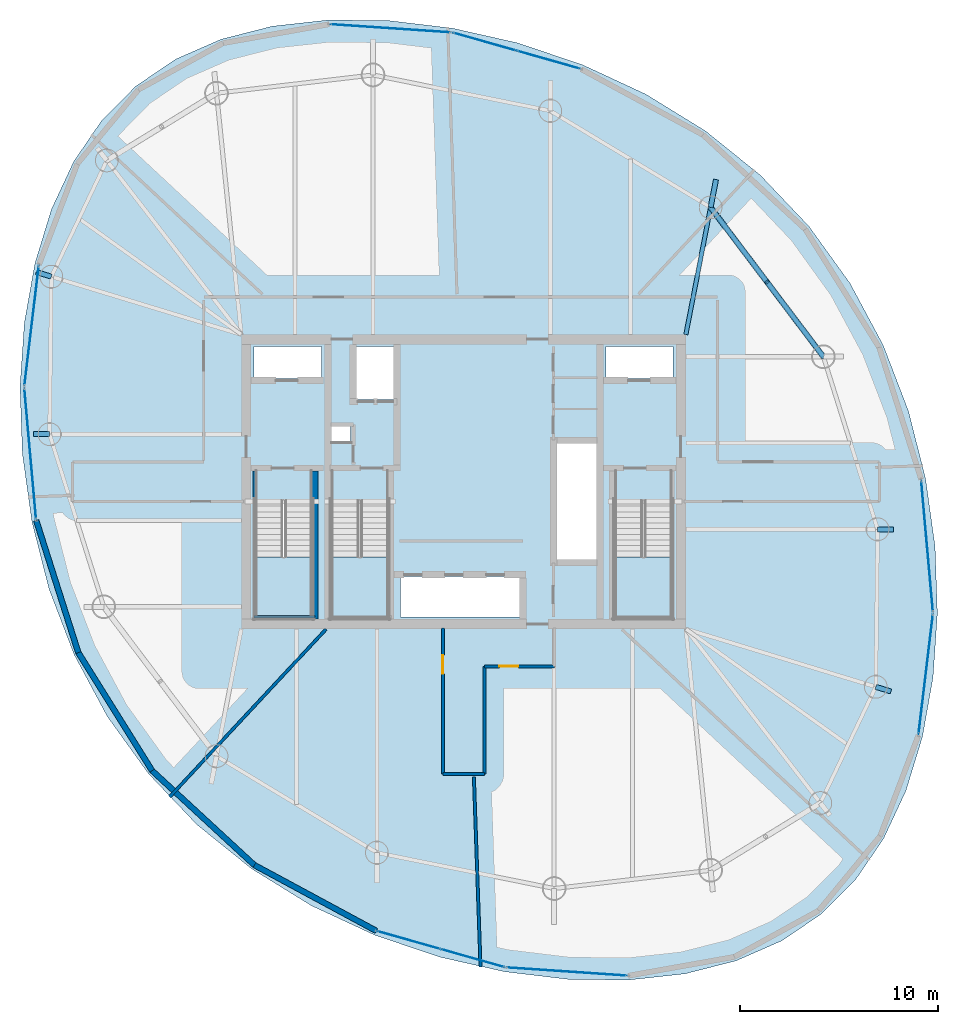
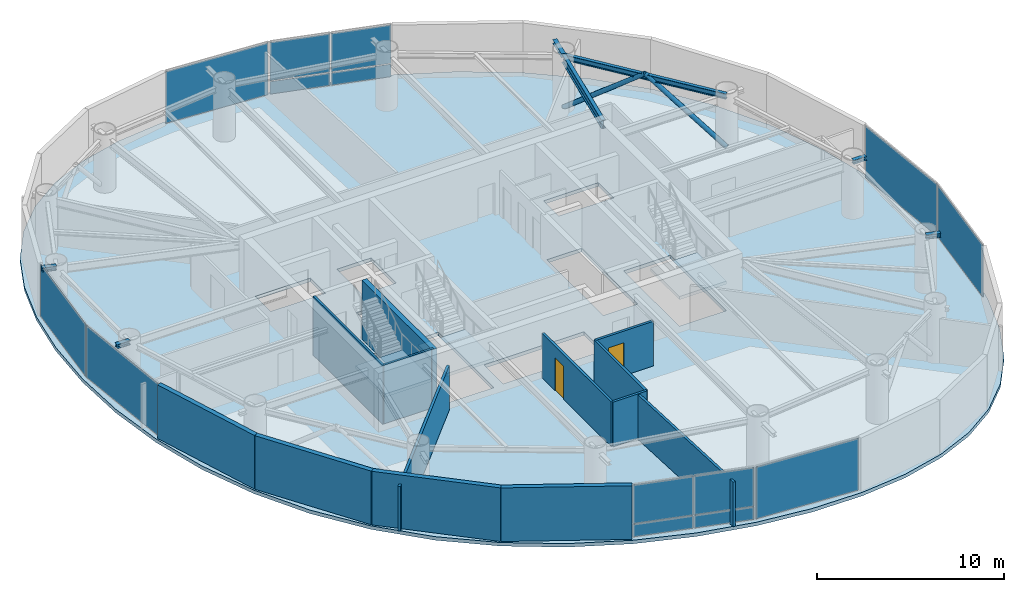
# One storey, part 12 of 18: 14 plates, 13 walls, 7 beams, 4 slabs, 2 doors, 2 members, 2 openings, 11 elements without a shape of their own.
"""IFC4 building model written with IfcOpenShell, lengths in metres."""

from ifc_helpers import new_model, si_unit, direction, frame, frame_2d, origin, origin_2d, place, context, subcontext, project, spatial, polyline, rectangle, hollow_circle, i_section, outline, extrude, material, layer, layer_set, material_profile, profile_set, type_object, element, fill, aggregate, save


model = new_model("IFC4")

# Units and contexts
model_context = context("Model", 3, precision=1e-05, world=origin(), true_north=direction((0.0, 1.0)))
body_context = subcontext(model_context, "Body", "Model", "MODEL_VIEW")
ifc_project = project(units=[si_unit("LENGTHUNIT", "METRE"), si_unit("AREAUNIT", "SQUARE_METRE"), si_unit("VOLUMEUNIT", "CUBIC_METRE"), si_unit("PLANEANGLEUNIT", "RADIAN"), si_unit("MASSUNIT", "GRAM", prefix="KILO")], contexts=[model_context])

# Site, building, storey
site_placement = place(None, origin())
site = spatial("IfcSite", under=ifc_project, at=site_placement, CompositionType="ELEMENT")
building_placement = place(site_placement, origin())
building = spatial("IfcBuilding", under=site, at=building_placement, Name="Bramvorn Convention Spire", CompositionType="ELEMENT")
storey_placement = place(building_placement, frame((0.0, 0.0, 232.800048828125)))
storey = spatial("IfcBuildingStorey", under=building, at=storey_placement, Name="L59", CompositionType="ELEMENT", Elevation=232.800048828125)

# Beams
ifc_material_1 = material(Name="Steel CSA G40.21 Grade 350 (350W)", Category="steel")
ifc_material_profile_1 = material_profile(ifc_material_1, i_section(OverallWidth=0.25390625, OverallDepth=0.2529296875, WebThickness=0.008544921875, FlangeThickness=0.01416015625, FilletRadius=0.011962890625, at=origin_2d()))
ifc_profile_set_1 = profile_set([ifc_material_profile_1], Name="Steel CSA G40.21 Grade 350 (350W) - W250X73")
beam_type_1 = type_object("IfcBeamType", Name="BM-W250X73", PredefinedType="BEAM", material=ifc_profile_set_1)
for number, where, z_axis, x_axis, name in (
    (1, (58.863037109375, 15.619384765625, 3.37353515625), (0.956599941343, -0.291404447841, 0.0), (0.291404447841, 0.956599941343, 0.0), "L59 slab-edge cantilever tip beam MC02"),
    (2, (58.95458984375, 23.593505859375, 3.37353515625), (1.0, 0.0, 0.0), (0.0, 1.0, 0.0), "L59 slab-edge cantilever tip beam MC03"),
):
    element("IfcBeam", number, at=place(storey_placement, frame(where, z_axis=z_axis, x_axis=x_axis)), inside=storey, type_object=beam_type_1, Name=name, PredefinedType="BEAM", context=body_context, shape_type="SweptSolid", body=[
        extrude(i_section(OverallWidth=0.25390625, OverallDepth=0.2529296875, WebThickness=0.008544921875, FlangeThickness=0.01416015625, FilletRadius=0.011962890625, at=origin_2d()), origin(), (0.0, 0.0, 1.0), 0.800048828125),
    ])
beam_1_placement = place(storey_placement, frame((50.501953125, 39.885009765625, 3.37353515625), z_axis=(0.19108332694, 0.98157381901, 0.0), x_axis=(-0.98157381901, 0.19108332694, 0.0)))
element("IfcBeam", 3, at=beam_1_placement, inside=storey, type_object=beam_type_1, Name="L59 slab-edge cantilever tip beam MC05", PredefinedType="BEAM", context=body_context, shape_type="SweptSolid", body=[
    extrude(i_section(OverallWidth=0.25390625, OverallDepth=0.2529296875, WebThickness=0.008544921875, FlangeThickness=0.01416015625, FilletRadius=0.011962890625, at=origin_2d()), origin(), (0.0, 0.0, 1.0), 1.437255859375),
])
for number, where, z_axis, x_axis, name in (
    (4, (17.136962890625, 36.380615234375, 3.37353515625), (-0.956599941343, 0.291404447841, 0.0), (-0.291404447841, -0.956599941343, 0.0), "L59 slab-edge cantilever tip beam MC10"),
    (5, (17.04541015625, 28.406494140625, 3.37353515625), (-1.0, 0.0, 0.0), (0.0, -1.0, 0.0), "L59 slab-edge cantilever tip beam MC11"),
):
    element("IfcBeam", number, at=place(storey_placement, frame(where, z_axis=z_axis, x_axis=x_axis)), inside=storey, type_object=beam_type_1, Name=name, PredefinedType="BEAM", context=body_context, shape_type="SweptSolid", body=[
        extrude(i_section(OverallWidth=0.25390625, OverallDepth=0.2529296875, WebThickness=0.008544921875, FlangeThickness=0.01416015625, FilletRadius=0.011962890625, at=origin_2d()), origin(), (0.0, 0.0, 1.0), 0.800048828125),
    ])
ifc_material_profile_2 = material_profile(ifc_material_1, i_section(OverallWidth=0.205078125, OverallDepth=0.35400390625, WebThickness=0.009521484375, FlangeThickness=0.016845703125, FilletRadius=0.014892578125, at=origin_2d()))
ifc_profile_set_2 = profile_set([ifc_material_profile_2], Name="Steel CSA G40.21 Grade 350 (350W) - W360X79")
beam_type_2 = type_object("IfcBeamType", Name="BM-W360X79", PredefinedType="JOIST", material=ifc_profile_set_2)
beam_2_placement = place(storey_placement, frame((56.21044921875, 32.327392578125, 3.322998046875), z_axis=(-0.602718581414, 0.797953827999, 0.0), x_axis=(-0.797953827999, -0.602718581414, 0.0)))
element("IfcBeam", 6, at=beam_2_placement, inside=storey, type_object=beam_type_2, Name="L59 mega-column ring beam 04", PredefinedType="JOIST", context=body_context, shape_type="SweptSolid", body=[
    extrude(i_section(OverallWidth=0.205078125, OverallDepth=0.35400390625, WebThickness=0.009521484375, FlangeThickness=0.016845703125, FilletRadius=0.014892578125, at=origin_2d()), origin(), (0.0, 0.0, 1.0), 9.47119140625),
])
ifc_material_profile_3 = material_profile(ifc_material_1, i_section(OverallWidth=0.2119140625, OverallDepth=0.5439453125, WebThickness=0.01318359375, FlangeThickness=0.021240234375, FilletRadius=0.01904296875, at=origin_2d()))
ifc_profile_set_3 = profile_set([ifc_material_profile_3], Name="Steel CSA G40.21 Grade 350 (350W) - W530X123")
beam_type_3 = type_object("IfcBeamType", Name="BM-W530X123", PredefinedType="BEAM", material=ifc_profile_set_3)
beam_3_placement = place(storey_placement, frame((49.25, 33.449951171875, 3.22802734375), z_axis=(0.190971329886, 0.981595614885, 0.0), x_axis=(-0.981595614885, 0.190971329886, 0.0)))
element("IfcBeam", 7, at=beam_3_placement, inside=storey, type_object=beam_type_3, Name="L59 radial floor girder MC05", PredefinedType="BEAM", context=body_context, shape_type="SweptSolid", body=[
    extrude(i_section(OverallWidth=0.2119140625, OverallDepth=0.5439453125, WebThickness=0.01318359375, FlangeThickness=0.021240234375, FilletRadius=0.01904296875, at=origin_2d()), origin(), (0.0, 0.0, 1.0), 6.5556640625),
])

# Members
ifc_material_profile_4 = material_profile(ifc_material_1, hollow_circle(Radius=0.136474609375, WallThickness=0.0126953125, at=origin_2d()))
ifc_profile_set_4 = profile_set([ifc_material_profile_4], Name="Steel CSA G40.21 Grade 350 (350W) - CHS273X13")
member_type = type_object("IfcMemberType", Name="MBR-CHS273X13", PredefinedType="BRACE", material=ifc_profile_set_4)
for number, where, z_axis, x_axis, name in (
    (8, (56.21044921875, 32.327392578125, 0.0), (-0.484703799944, 0.641711180869, 0.594364355145), (-0.797953827999, -0.602718581414, 0.0), "L59 perimeter Gothic lancet brace 4A"),
    (9, (50.501953125, 39.885009765625, 0.0), (0.484703799944, -0.641711180869, 0.594364355145), (0.797953827999, 0.602718581414, 0.0), "L59 perimeter Gothic lancet brace 4B"),
):
    element("IfcMember", number, at=place(storey_placement, frame(where, z_axis=z_axis, x_axis=x_axis)), inside=storey, type_object=member_type, Name=name, PredefinedType="BRACE", context=body_context, shape_type="SweptSolid", body=[
        extrude(hollow_circle(Radius=0.136474609375, WallThickness=0.0126953125, at=origin_2d()), origin(), (0.0, 0.0, 1.0), 5.888671875),
    ])

# Curtain wall, plate
ifc_material_2 = material(Name="Anodised Bronze Unitised Curtain Wall", Category="aluminium")
ifc_layer_1 = layer(ifc_material_2, 0.179931640625)
ifc_layer_set_1 = layer_set([ifc_layer_1], Name="Anodised Bronze Unitised Curtain Wall - CW-OFF-FRIT")
curtain_wall_type = type_object("IfcCurtainWallType", Name="CW-OFF-FRIT", PredefinedType="USERDEFINED", material=ifc_layer_set_1)
curtain_wall_1_placement = place(storey_placement, origin())
curtain_wall_1 = element("IfcCurtainWall", 10, at=curtain_wall_1_placement, inside=storey, type_object=curtain_wall_type, Name="L59 fritted glass curtain wall 03", ObjectType="UNITISED CURTAIN WALL", PredefinedType="USERDEFINED")
ifc_material_3 = material(Name="Laminated Low-E Glass (Triple IGU Solar Bronze Frit 28%)", Category="glass")
ifc_layer_2 = layer(ifc_material_3, 0.0400390625)
ifc_layer_set_2 = layer_set([ifc_layer_2], Name="Laminated Low-E Glass (Triple IGU Solar Bronze Frit 28%) - PNL-IGU-3")
plate_type = type_object("IfcPlateType", Name="PNL-IGU-3", PredefinedType="CURTAIN_PANEL", material=ifc_layer_set_2)
plate_1_placement = place(storey_placement, frame((61.392333984375, 16.265869140625, 0.06005859375), z_axis=(0.0, 0.0, 1.0), x_axis=(-0.118897592856, -0.992906522495, 0.0)))
plate_1 = element("IfcPlate", 11, at=plate_1_placement, type_object=plate_type, Name="CW3 panel 1.1", PredefinedType="CURTAIN_PANEL", context=body_context, shape_type="SweptSolid", body=[
    extrude(rectangle(XDim=6.1064453125, YDim=0.028076171875, at=origin_2d()), origin(), (0.0, 0.0, 1.0), 3.3798828125),
])
aggregate(curtain_wall_1, [plate_1])

curtain_wall_2_placement = place(storey_placement, origin())
curtain_wall_2 = element("IfcCurtainWall", 12, at=curtain_wall_2_placement, inside=storey, type_object=curtain_wall_type, Name="L59 fritted glass curtain wall 04", ObjectType="UNITISED CURTAIN WALL", PredefinedType="USERDEFINED")
plate_2_placement = place(storey_placement, frame((61.461181640625, 22.73583984375, 0.06005859375), z_axis=(0.0, 0.0, 1.0), x_axis=(0.08883453888, -0.996046396862, 0.0)))
plate_2 = element("IfcPlate", 13, at=plate_2_placement, type_object=plate_type, Name="CW3 panel 1.1", PredefinedType="CURTAIN_PANEL", context=body_context, shape_type="SweptSolid", body=[
    extrude(rectangle(XDim=6.66455078125, YDim=0.028076171875, at=origin_2d()), origin(), (0.0, 0.0, 1.0), 3.3798828125),
])
aggregate(curtain_wall_2, [plate_2])

# Curtain wall, plates
curtain_wall_3_placement = place(storey_placement, origin())
curtain_wall_3 = element("IfcCurtainWall", 14, at=curtain_wall_3_placement, inside=storey, type_object=curtain_wall_type, Name="L59 fritted glass curtain wall 09", ObjectType="UNITISED CURTAIN WALL", PredefinedType="USERDEFINED")
plate_3_placement = place(storey_placement, frame((39.062255859375, 48.269287109375, 0.059814453125), z_axis=(0.0, 0.0, 1.0), x_axis=(0.962230453739, -0.272236209746, 0.0)))
plate_3 = element("IfcPlate", 15, at=plate_3_placement, type_object=plate_type, Name="CW3 panel 1.1", PredefinedType="CURTAIN_PANEL", context=body_context, shape_type="SweptSolid", body=[
    extrude(rectangle(XDim=3.30224609375, YDim=0.028076171875, at=origin_2d()), origin(), (0.0, 0.0, 1.0), 0.81005859375),
])
plate_4_placement = place(storey_placement, frame((39.062255859375, 48.269287109375, 0.93017578125), z_axis=(0.0, 0.0, 1.0), x_axis=(0.962230453739, -0.272236209746, 0.0)))
plate_4 = element("IfcPlate", 16, at=plate_4_placement, type_object=plate_type, Name="CW3 panel 1.2", PredefinedType="CURTAIN_PANEL", context=body_context, shape_type="SweptSolid", body=[
    extrude(rectangle(XDim=3.30224609375, YDim=0.028076171875, at=origin_2d()), origin(), (0.0, 0.0, 1.0), 2.510009765625),
])
plate_5_placement = place(storey_placement, frame((42.297607421875, 47.353759765625, 0.059814453125), z_axis=(0.0, 0.0, 1.0), x_axis=(0.962230453739, -0.272236209746, 0.0)))
plate_5 = element("IfcPlate", 17, at=plate_5_placement, type_object=plate_type, Name="CW3 panel 2.1", PredefinedType="CURTAIN_PANEL", context=body_context, shape_type="SweptSolid", body=[
    extrude(rectangle(XDim=3.30224609375, YDim=0.028076171875, at=origin_2d()), origin(), (0.0, 0.0, 1.0), 0.81005859375),
])
plate_6_placement = place(storey_placement, frame((42.297607421875, 47.353759765625, 0.93017578125), z_axis=(0.0, 0.0, 1.0), x_axis=(0.962230453739, -0.272236209746, 0.0)))
plate_6 = element("IfcPlate", 18, at=plate_6_placement, type_object=plate_type, Name="CW3 panel 2.2", PredefinedType="CURTAIN_PANEL", context=body_context, shape_type="SweptSolid", body=[
    extrude(rectangle(XDim=3.30224609375, YDim=0.028076171875, at=origin_2d()), origin(), (0.0, 0.0, 1.0), 2.510009765625),
])
aggregate(curtain_wall_3, [plate_3, plate_4, plate_5, plate_6])

# Curtain wall, plate
curtain_wall_4_placement = place(storey_placement, origin())
curtain_wall_4 = element("IfcCurtainWall", 19, at=curtain_wall_4_placement, inside=storey, type_object=curtain_wall_type, Name="L59 fritted glass curtain wall 10", ObjectType="UNITISED CURTAIN WALL", PredefinedType="USERDEFINED")
plate_7_placement = place(storey_placement, frame((34.309814453125, 48.945068359375, 0.06005859375), z_axis=(0.0, 0.0, 1.0), x_axis=(0.997719079969, -0.06750287005, 0.0)))
plate_7 = element("IfcPlate", 20, at=plate_7_placement, type_object=plate_type, Name="CW3 panel 1.1", PredefinedType="CURTAIN_PANEL", context=body_context, shape_type="SweptSolid", body=[
    extrude(rectangle(XDim=6.1064453125, YDim=0.028076171875, at=origin_2d()), origin(), (0.0, 0.0, 1.0), 3.3798828125),
])
aggregate(curtain_wall_4, [plate_7])

curtain_wall_5_placement = place(storey_placement, origin())
curtain_wall_5 = element("IfcCurtainWall", 21, at=curtain_wall_5_placement, inside=storey, type_object=curtain_wall_type, Name="L59 fritted glass curtain wall 15", ObjectType="UNITISED CURTAIN WALL", PredefinedType="USERDEFINED")
plate_8_placement = place(storey_placement, frame((16.138916015625, 33.88623046875, 0.06005859375), z_axis=(0.0, 0.0, 1.0), x_axis=(0.118897592856, 0.992906522495, 0.0)))
plate_8 = element("IfcPlate", 22, at=plate_8_placement, type_object=plate_type, Name="CW3 panel 1.1", PredefinedType="CURTAIN_PANEL", context=body_context, shape_type="SweptSolid", body=[
    extrude(rectangle(XDim=6.1064453125, YDim=0.028076171875, at=origin_2d()), origin(), (0.0, 0.0, 1.0), 3.3798828125),
])
aggregate(curtain_wall_5, [plate_8])

curtain_wall_6_placement = place(storey_placement, origin())
curtain_wall_6 = element("IfcCurtainWall", 23, at=curtain_wall_6_placement, inside=storey, type_object=curtain_wall_type, Name="L59 fritted glass curtain wall 16", ObjectType="UNITISED CURTAIN WALL", PredefinedType="USERDEFINED")
plate_9_placement = place(storey_placement, frame((16.070068359375, 27.416259765625, 0.06005859375), z_axis=(0.0, 0.0, 1.0), x_axis=(-0.08883453888, 0.996046396862, 0.0)))
plate_9 = element("IfcPlate", 24, at=plate_9_placement, type_object=plate_type, Name="CW3 panel 1.1", PredefinedType="CURTAIN_PANEL", context=body_context, shape_type="SweptSolid", body=[
    extrude(rectangle(XDim=6.66455078125, YDim=0.028076171875, at=origin_2d()), origin(), (0.0, 0.0, 1.0), 3.3798828125),
])
aggregate(curtain_wall_6, [plate_9])

# Curtain wall, plates
curtain_wall_7_placement = place(storey_placement, origin())
curtain_wall_7 = element("IfcCurtainWall", 25, at=curtain_wall_7_placement, inside=storey, type_object=curtain_wall_type, Name="L59 fritted glass curtain wall 21", ObjectType="UNITISED CURTAIN WALL", PredefinedType="USERDEFINED")
plate_10_placement = place(storey_placement, frame((38.46923828125, 1.8828125, 0.059814453125), z_axis=(0.0, 0.0, 1.0), x_axis=(-0.962229361342, 0.27224007084, 0.0)))
plate_10 = element("IfcPlate", 26, at=plate_10_placement, type_object=plate_type, Name="CW3 panel 1.1", PredefinedType="CURTAIN_PANEL", context=body_context, shape_type="SweptSolid", body=[
    extrude(rectangle(XDim=3.30224609375, YDim=0.028076171875, at=origin_2d()), origin(), (0.0, 0.0, 1.0), 0.81005859375),
])
plate_11_placement = place(storey_placement, frame((38.46923828125, 1.8828125, 0.93017578125), z_axis=(0.0, 0.0, 1.0), x_axis=(-0.962229361342, 0.27224007084, 0.0)))
plate_11 = element("IfcPlate", 27, at=plate_11_placement, type_object=plate_type, Name="CW3 panel 1.2", PredefinedType="CURTAIN_PANEL", context=body_context, shape_type="SweptSolid", body=[
    extrude(rectangle(XDim=3.30224609375, YDim=0.028076171875, at=origin_2d()), origin(), (0.0, 0.0, 1.0), 2.510009765625),
])
plate_12_placement = place(storey_placement, frame((35.23388671875, 2.79833984375, 0.059814453125), z_axis=(0.0, 0.0, 1.0), x_axis=(-0.962229361342, 0.27224007084, 0.0)))
plate_12 = element("IfcPlate", 28, at=plate_12_placement, type_object=plate_type, Name="CW3 panel 2.1", PredefinedType="CURTAIN_PANEL", context=body_context, shape_type="SweptSolid", body=[
    extrude(rectangle(XDim=3.30224609375, YDim=0.028076171875, at=origin_2d()), origin(), (0.0, 0.0, 1.0), 0.81005859375),
])
plate_13_placement = place(storey_placement, frame((35.23388671875, 2.79833984375, 0.93017578125), z_axis=(0.0, 0.0, 1.0), x_axis=(-0.962229361342, 0.27224007084, 0.0)))
plate_13 = element("IfcPlate", 29, at=plate_13_placement, type_object=plate_type, Name="CW3 panel 2.2", PredefinedType="CURTAIN_PANEL", context=body_context, shape_type="SweptSolid", body=[
    extrude(rectangle(XDim=3.30224609375, YDim=0.028076171875, at=origin_2d()), origin(), (0.0, 0.0, 1.0), 2.510009765625),
])
aggregate(curtain_wall_7, [plate_10, plate_11, plate_12, plate_13])

# Curtain wall, plate
curtain_wall_8_placement = place(storey_placement, origin())
curtain_wall_8 = element("IfcCurtainWall", 30, at=curtain_wall_8_placement, inside=storey, type_object=curtain_wall_type, Name="L59 fritted glass curtain wall 22", ObjectType="UNITISED CURTAIN WALL", PredefinedType="USERDEFINED")
plate_14_placement = place(storey_placement, frame((43.2216796875, 1.20703125, 0.06005859375), z_axis=(0.0, 0.0, 1.0), x_axis=(-0.997719079969, 0.06750287005, 0.0)))
plate_14 = element("IfcPlate", 31, at=plate_14_placement, type_object=plate_type, Name="CW3 panel 1.1", PredefinedType="CURTAIN_PANEL", context=body_context, shape_type="SweptSolid", body=[
    extrude(rectangle(XDim=6.1064453125, YDim=0.028076171875, at=origin_2d()), origin(), (0.0, 0.0, 1.0), 3.3798828125),
])
aggregate(curtain_wall_8, [plate_14])

# Stair, slab
ifc_material_4 = material(Name="Concrete C40/50 Precast Stair", Category="concrete")
stair_type = type_object("IfcStairType", Name="ST-TOWER-1550", PredefinedType="HALF_TURN_STAIR", material=ifc_material_4)
stair_1_placement = place(storey_placement, origin())
stair_1 = element("IfcStair", 32, at=stair_1_placement, inside=storey, type_object=stair_type, Name="L59 Protected Exit Stair ST1", PredefinedType="HALF_TURN_STAIR")
ifc_material_5 = material(Name="Concrete C40/50 Stair Landing", Category="concrete")
ifc_layer_3 = layer(ifc_material_5, 0.219970703125)
ifc_layer_set_3 = layer_set([ifc_layer_3], Name="Concrete C40/50 Stair Landing - SLB-STAIR-LANDING")
slab_type_1 = type_object("IfcSlabType", Name="SLB-STAIR-LANDING", PredefinedType="LANDING", material=ifc_layer_set_3)
slab_1_placement = place(storey_placement, frame((0.0, 0.0, 1.724853515625)))
slab_1 = element("IfcSlab", 33, at=slab_1_placement, type_object=slab_type_1, Name="ST1 landing 1", PredefinedType="LANDING", context=body_context, shape_type="SweptSolid", body=[
    extrude(outline(polyline([(27.449951171875, 22.199951171875), (27.449951171875, 19.10009765625), (30.35009765625, 19.10009765625), (30.35009765625, 22.199951171875), (27.449951171875, 22.199951171875)])), origin(), (0.0, 0.0, 1.0), 0.2001953125),
])
aggregate(stair_1, [slab_1])

stair_2_placement = place(storey_placement, origin())
stair_2 = element("IfcStair", 34, at=stair_2_placement, inside=storey, type_object=stair_type, Name="L59 Protected Exit Stair ST2", PredefinedType="HALF_TURN_STAIR")
slab_2_placement = place(storey_placement, frame((0.0, 0.0, 1.724853515625)))
slab_2 = element("IfcSlab", 35, at=slab_2_placement, type_object=slab_type_1, Name="ST2 landing 1", PredefinedType="LANDING", context=body_context, shape_type="SweptSolid", body=[
    extrude(outline(polyline([(45.64990234375, 22.199951171875), (45.64990234375, 19.10009765625), (48.550048828125, 19.10009765625), (48.550048828125, 22.199951171875), (45.64990234375, 22.199951171875)])), origin(), (0.0, 0.0, 1.0), 0.2001953125),
])
aggregate(stair_2, [slab_2])

stair_3_placement = place(storey_placement, origin())
stair_3 = element("IfcStair", 36, at=stair_3_placement, inside=storey, type_object=stair_type, Name="L59 Protected Exit Stair ST3", PredefinedType="HALF_TURN_STAIR")
slab_3_placement = place(storey_placement, frame((0.0, 0.0, 1.724853515625)))
slab_3 = element("IfcSlab", 37, at=slab_3_placement, type_object=slab_type_1, Name="ST3 landing 1", PredefinedType="LANDING", context=body_context, shape_type="SweptSolid", body=[
    extrude(outline(polyline([(31.300048828125, 22.199951171875), (31.300048828125, 19.10009765625), (34.199951171875, 19.10009765625), (34.199951171875, 22.199951171875), (31.300048828125, 22.199951171875)])), origin(), (0.0, 0.0, 1.0), 0.2001953125),
])
aggregate(stair_3, [slab_3])

# Slab
ifc_material_6 = material(Name="Concrete C40/50", Category="concrete")
ifc_layer_4 = layer(ifc_material_6, 0.22998046875)
ifc_layer_set_4 = layer_set([ifc_layer_4], Name="Concrete C40/50 - SLB-Z3-230")
slab_type_2 = type_object("IfcSlabType", Name="SLB-Z3-230", PredefinedType="FLOOR", material=ifc_layer_set_4)
slab_4_placement = place(storey_placement, frame((0.0, 0.0, -0.22998046875)))
element("IfcSlab", 38, at=slab_4_placement, inside=storey, type_object=slab_type_2, Name="L59 tower floor slab", PredefinedType="FLOOR", context=body_context, shape_type="SweptSolid", body=[
    extrude(outline(polyline([(56.121826171875, 4.13330078125), (57.83740234375, 5.857177734375), (59.258544921875, 7.936279296875), (60.38818359375, 10.35791015625), (61.22509765625, 13.095458984375), (61.761474609375, 16.107177734375), (61.981689453125, 19.33642578125), (61.86376953125, 22.712890625), (61.3828125, 26.15625), (60.5146484375, 29.581298828125), (59.2421875, 32.902587890625), (57.560546875, 36.041015625), (55.47998046875, 38.927734375), (53.02978515625, 41.50830078125), (50.258056640625, 43.743408203125), (47.230712890625, 45.6103515625), (44.0263671875, 47.09912109375), (40.732177734375, 48.211181640625), (37.436279296875, 48.9541015625), (34.222412109375, 49.33740234375), (31.163330078125, 49.369384765625), (28.318115234375, 49.05517578125), (25.72900390625, 48.394775390625), (23.421875, 47.384521484375), (21.409423828125, 46.018798828125), (19.694091796875, 44.294921875), (18.27294921875, 42.2158203125), (17.143310546875, 39.794189453125), (16.30615234375, 37.056640625), (15.77001953125, 34.044921875), (15.5498046875, 30.815673828125), (15.667724609375, 27.439208984375), (16.148681640625, 23.995849609375), (17.016845703125, 20.57080078125), (18.2890625, 17.24951171875), (19.970947265625, 14.111083984375), (22.051513671875, 11.224365234375), (24.501708984375, 8.643798828125), (27.2734375, 6.40869140625), (30.30078125, 4.541748046875), (33.5048828125, 3.052978515625), (36.79931640625, 1.94091796875), (40.09521484375, 1.197998046875), (43.30908203125, 0.814697265625), (46.3681640625, 0.78271484375), (49.21337890625, 1.096923828125), (51.802490234375, 1.75732421875), (54.109619140625, 2.767578125), (56.121826171875, 4.13330078125)]), holes=[polyline([(27.449951171875, 25.050048828125), (27.449951171875, 19.10009765625), (30.35009765625, 19.10009765625), (30.35009765625, 25.050048828125), (27.449951171875, 25.050048828125)]), polyline([(45.64990234375, 25.050048828125), (45.64990234375, 19.10009765625), (48.550048828125, 19.10009765625), (48.550048828125, 25.050048828125), (45.64990234375, 25.050048828125)]), polyline([(31.300048828125, 25.050048828125), (31.300048828125, 19.10009765625), (34.199951171875, 19.10009765625), (34.199951171875, 25.050048828125), (31.300048828125, 25.050048828125)]), polyline([(27.39990234375, 31.219970703125), (30.800048828125, 31.219970703125), (30.800048828125, 32.85009765625), (27.39990234375, 32.85009765625), (27.39990234375, 31.219970703125)]), polyline([(45.199951171875, 31.219970703125), (48.60009765625, 31.219970703125), (48.60009765625, 32.85009765625), (45.199951171875, 32.85009765625), (45.199951171875, 31.219970703125)]), polyline([(32.449951171875, 30.14990234375), (34.56005859375, 30.14990234375), (34.56005859375, 32.85009765625), (32.449951171875, 32.85009765625), (32.449951171875, 30.14990234375)]), polyline([(34.800048828125, 19.14990234375), (40.97998046875, 19.14990234375), (40.97998046875, 21.199951171875), (34.800048828125, 21.199951171875), (34.800048828125, 19.14990234375)]), polyline([(42.6201171875, 22.0), (44.75, 22.0), (44.75, 28.0), (42.6201171875, 28.0), (42.6201171875, 22.0)]), polyline([(31.320068359375, 28.02001953125), (32.280029296875, 28.02001953125), (32.280029296875, 28.820068359375), (31.320068359375, 28.820068359375), (31.320068359375, 28.02001953125)])]), origin(), (0.0, 0.0, 1.0), 0.22998046875),
])

# Walls
ifc_material_7 = material(Name="Precast Concrete C40/50 with Bronze Terracotta Rainscreen", Category="masonry")
ifc_layer_5 = layer(ifc_material_7, 0.300048828125)
ifc_layer_set_5 = layer_set([ifc_layer_5], Name="Precast Concrete C40/50 with Bronze Terracotta Rainscreen - WL-EXT-BRONZE-300")
wall_type_1 = type_object("IfcWallType", Name="WL-EXT-BRONZE-300", PredefinedType="SOLIDWALL", material=ifc_layer_set_5)
wall_1_placement = place(storey_placement, frame((18.50048828125, 17.3505859375, 0.0), z_axis=(0.0, 0.0, 1.0), x_axis=(-0.303361607716, 0.952875508639, 0.0)))
element("IfcWall", 39, at=wall_1_placement, inside=storey, type_object=wall_type_1, Name="L59 expressed bronze Gothic lancet pier wall 17", PredefinedType="SOLIDWALL", context=body_context, shape_type="SweptSolid", body=[
    extrude(rectangle(XDim=7.017822265625, YDim=0.280029296875, at=frame_2d((3.5087890625, 0.0))), origin(), (0.0, 0.0, 1.0), 3.5),
])
wall_2_placement = place(storey_placement, frame((22.234375, 11.3759765625, 0.0), z_axis=(0.0, 0.0, 1.0), x_axis=(-0.529974021184, 0.848013877758, 0.0)))
element("IfcWall", 40, at=wall_2_placement, inside=storey, type_object=wall_type_1, Name="L59 expressed bronze Gothic lancet pier wall 18", PredefinedType="SOLIDWALL", context=body_context, shape_type="SweptSolid", body=[
    extrude(rectangle(XDim=7.04541015625, YDim=0.280029296875, at=frame_2d((3.522705078125, 0.0))), origin(), (0.0, 0.0, 1.0), 3.5),
])
wall_3_placement = place(storey_placement, frame((27.412109375, 6.597412109375, 0.0), z_axis=(0.0, 0.0, 1.0), x_axis=(-0.734865878673, 0.678212459604, 0.0)))
element("IfcWall", 41, at=wall_3_placement, inside=storey, type_object=wall_type_1, Name="L59 expressed bronze Gothic lancet pier wall 19", PredefinedType="SOLIDWALL", context=body_context, shape_type="SweptSolid", body=[
    extrude(rectangle(XDim=7.0458984375, YDim=0.280029296875, at=frame_2d((3.52294921875, 0.0))), origin(), (0.0, 0.0, 1.0), 3.5),
])
wall_4_placement = place(storey_placement, frame((33.58740234375, 3.26416015625, 0.0), z_axis=(0.0, 0.0, 1.0), x_axis=(-0.879989165457, 0.474993756463, 0.0)))
element("IfcWall", 42, at=wall_4_placement, inside=storey, type_object=wall_type_1, Name="L59 expressed bronze Gothic lancet pier wall 20", PredefinedType="SOLIDWALL", context=body_context, shape_type="SweptSolid", body=[
    extrude(rectangle(XDim=7.017578125, YDim=0.280029296875, at=frame_2d((3.5087890625, 0.0))), origin(), (0.0, 0.0, 1.0), 3.5),
])

# Wall, opening, door
ifc_material_8 = material(Name="Acoustic Metal-Stud Tenant/Corridor Partition", Category="gypsum")
ifc_layer_6 = layer(ifc_material_8, 0.14990234375)
ifc_layer_set_6 = layer_set([ifc_layer_6], Name="Acoustic Metal-Stud Tenant/Corridor Partition - WL-PART-150")
wall_type_2 = type_object("IfcWallType", Name="WL-PART-150", PredefinedType="PARTITIONING", material=ifc_layer_set_6)
wall_5_placement = place(storey_placement, frame((36.949951171875, 11.199951171875, 0.0), z_axis=(0.0, 0.0, 1.0), x_axis=(0.0, 1.0, 0.0)))
wall_5 = element("IfcWall", 43, at=wall_5_placement, inside=storey, type_object=wall_type_2, Name="L59 South axial spine west wall", PredefinedType="PARTITIONING", context=body_context, shape_type="SweptSolid", body=[
    extrude(rectangle(XDim=7.400146484375, YDim=0.14990234375, at=frame_2d((3.7001953125, 0.0))), origin(), (0.0, 0.0, 1.0), 2.9150390625),
])
opening_1_placement = place(wall_5_placement, frame((5.074951171875, 0.0, 0.0)))
opening_1 = element("IfcOpeningElement", 44, at=opening_1_placement, cuts=wall_5, Name="Opening DH-095", PredefinedType="OPENING", context=body_context, shape_type="SweptSolid", body=[
    extrude(rectangle(XDim=0.949951171875, YDim=2.14990234375, at=frame_2d((0.47509765625, 1.074951171875))), frame((0.0, 0.0849609375, 0.0), z_axis=(0.0, -1.0, 0.0), x_axis=(1.0, 0.0, 0.0)), (0.0, 0.0, 1.0), 0.169921875),
])
ifc_material_9 = material(Name="Solid-Core Acoustic Guestroom Entry Door", Category="wood")
door_type = type_object("IfcDoorType", Name="DR-HOTEL-950", OperationType="NOTDEFINED", PredefinedType="DOOR", material=ifc_material_9)
door_1_placement = place(opening_1_placement, origin())
door_1 = element("IfcDoor", 45, at=door_1_placement, inside=storey, type_object=door_type, Name="L59 Compliance Meeting Room 6 door", OperationType="SINGLE_SWING_RIGHT", OverallHeight=2.14990234375, OverallWidth=0.949951171875, PredefinedType="DOOR", context=body_context, shape_type="SweptSolid", body=[
    extrude(rectangle(XDim=0.949951171875, YDim=2.14990234375, at=frame_2d((0.47509765625, 1.074951171875))), frame((0.0, 0.02490234375, 0.0), z_axis=(0.0, -1.0, 0.0), x_axis=(1.0, 0.0, 0.0)), (0.0, 0.0, 1.0), 0.050048828125),
])
fill(opening_1, door_1)

# Wall
wall_6_placement = place(storey_placement, frame((39.050048828125, 11.199951171875, 0.0), z_axis=(0.0, 0.0, 1.0), x_axis=(0.0, 1.0, 0.0)))
element("IfcWall", 46, at=wall_6_placement, inside=storey, type_object=wall_type_2, Name="L59 South axial spine east wall", PredefinedType="PARTITIONING", context=body_context, shape_type="SweptSolid", body=[
    extrude(rectangle(XDim=5.449951171875, YDim=0.14990234375, at=frame_2d((2.72509765625, 0.0))), origin(), (0.0, 0.0, 1.0), 2.9150390625),
])

# Wall, opening, door
wall_7_placement = place(storey_placement, frame((39.050048828125, 16.64990234375, 0.0), z_axis=(0.0, 0.0, 1.0), x_axis=(1.0, 0.0, 0.0)))
wall_7 = element("IfcWall", 47, at=wall_7_placement, inside=storey, type_object=wall_type_2, Name="L59 South lift lobby link wall", PredefinedType="PARTITIONING", context=body_context, shape_type="SweptSolid", body=[
    extrude(rectangle(XDim=3.550048828125, YDim=0.14990234375, at=frame_2d((1.77490234375, 0.0))), origin(), (0.0, 0.0, 1.0), 2.9150390625),
])
opening_2_placement = place(wall_7_placement, frame((0.767578125, 0.0, 0.0)))
opening_2 = element("IfcOpeningElement", 48, at=opening_2_placement, cuts=wall_7, Name="Opening DH-095", PredefinedType="OPENING", context=body_context, shape_type="SweptSolid", body=[
    extrude(rectangle(XDim=0.949951171875, YDim=2.14990234375, at=frame_2d((0.47509765625, 1.074951171875))), frame((0.0, 0.0849609375, 0.0), z_axis=(0.0, -1.0, 0.0), x_axis=(1.0, 0.0, 0.0)), (0.0, 0.0, 1.0), 0.169921875),
])
door_2_placement = place(opening_2_placement, origin())
door_2 = element("IfcDoor", 49, at=door_2_placement, inside=storey, type_object=door_type, Name="L59 Server & Tape Store 7 door", OperationType="SINGLE_SWING_RIGHT", OverallHeight=2.14990234375, OverallWidth=0.949951171875, PredefinedType="DOOR", context=body_context, shape_type="SweptSolid", body=[
    extrude(rectangle(XDim=0.949951171875, YDim=2.14990234375, at=frame_2d((0.47509765625, 1.074951171875))), frame((0.0, 0.02490234375, 0.0), z_axis=(0.0, -1.0, 0.0), x_axis=(1.0, 0.0, 0.0)), (0.0, 0.0, 1.0), 0.050048828125),
])
fill(opening_2, door_2)

# Walls
wall_8_placement = place(storey_placement, frame((36.949951171875, 11.199951171875, 0.0), z_axis=(0.0, 0.0, 1.0), x_axis=(1.0, 0.0, 0.0)))
element("IfcWall", 50, at=wall_8_placement, inside=storey, type_object=wall_type_2, Name="L59 South axial spine end wall", PredefinedType="PARTITIONING", context=body_context, shape_type="SweptSolid", body=[
    extrude(rectangle(XDim=2.10009765625, YDim=0.14990234375, at=frame_2d((1.050048828125, 0.0))), origin(), (0.0, 0.0, 1.0), 2.9150390625),
])
wall_9_placement = place(storey_placement, frame((31.0341796875, 18.530029296875, 0.0), z_axis=(0.0, 0.0, 1.0), x_axis=(-0.681994935562, -0.731356895002, 0.0)))
element("IfcWall", 51, at=wall_9_placement, inside=storey, type_object=wall_type_2, Name="L59 Tenant suite partition 6", PredefinedType="PARTITIONING", context=body_context, shape_type="SweptSolid", body=[
    extrude(rectangle(XDim=11.59814453125, YDim=0.14990234375, at=frame_2d((5.799072265625, 0.0))), origin(), (0.0, 0.0, 1.0), 2.9150390625),
])
wall_10_placement = place(storey_placement, frame((38.521728515625, 11.06005859375, 0.0), z_axis=(0.0, 0.0, 1.0), x_axis=(0.034896706819, -0.99939092444, 0.0)))
element("IfcWall", 52, at=wall_10_placement, inside=storey, type_object=wall_type_2, Name="L59 Tenant suite partition 7", PredefinedType="PARTITIONING", context=body_context, shape_type="SweptSolid", body=[
    extrude(rectangle(XDim=9.61962890625, YDim=0.14990234375, at=frame_2d((4.809814453125, 0.0))), origin(), (0.0, 0.0, 1.0), 2.9150390625),
])
ifc_material_10 = material(Name="Concrete C50/60", Category="concrete")
ifc_layer_7 = layer(ifc_material_10, 0.300048828125)
ifc_layer_set_7 = layer_set([ifc_layer_7], Name="Concrete C50/60 - WL-POD-STAIR-300")
wall_type_3 = type_object("IfcWallType", Name="WL-POD-STAIR-300", PredefinedType="SHEAR", material=ifc_layer_set_7)
wall_11_placement = place(storey_placement, frame((30.489990234375, 19.050048828125, 0.0), z_axis=(0.0, 0.0, 1.0), x_axis=(0.0, 1.0, 0.0)))
element("IfcWall", 53, at=wall_11_placement, inside=storey, type_object=wall_type_3, Name="L59 ST1 east bearing wall", PredefinedType="SHEAR", context=body_context, shape_type="SweptSolid", body=[
    extrude(rectangle(XDim=7.5, YDim=0.300048828125, at=frame_2d((3.75, 0.0))), origin(), (0.0, 0.0, 1.0), 3.849853515625),
])
ifc_layer_8 = layer(ifc_material_10, 0.1201171875)
ifc_layer_set_8 = layer_set([ifc_layer_8], Name="Concrete C50/60 - WL-STAIR-RC-120")
wall_type_4 = type_object("IfcWallType", Name="WL-STAIR-RC-120", PredefinedType="SHEAR", material=ifc_layer_set_8)
wall_12_placement = place(storey_placement, frame((27.39501953125, 19.10009765625, 0.0), z_axis=(0.0, 0.0, 1.0), x_axis=(0.0, 1.0, 0.0)))
element("IfcWall", 54, at=wall_12_placement, inside=storey, type_object=wall_type_4, Name="L59 ST1 west bearing shear wall", PredefinedType="SHEAR", context=body_context, shape_type="SweptSolid", body=[
    extrude(rectangle(XDim=7.449951171875, YDim=0.1201171875, at=frame_2d((3.72509765625, 0.0))), origin(), (0.0, 0.0, 1.0), 3.849853515625),
])
wall_13_placement = place(storey_placement, frame((27.39501953125, 19.159912109375, 0.0), z_axis=(0.0, 0.0, 1.0), x_axis=(1.0, 0.0, 0.0)))
element("IfcWall", 55, at=wall_13_placement, inside=storey, type_object=wall_type_4, Name="L59 ST1 south bearing shear wall", PredefinedType="SHEAR", context=body_context, shape_type="SweptSolid", body=[
    extrude(rectangle(XDim=3.094970703125, YDim=0.1201171875, at=frame_2d((1.54736328125, 0.0))), origin(), (0.0, 0.0, 1.0), 3.849853515625),
])

save(model, "model.ifc")
